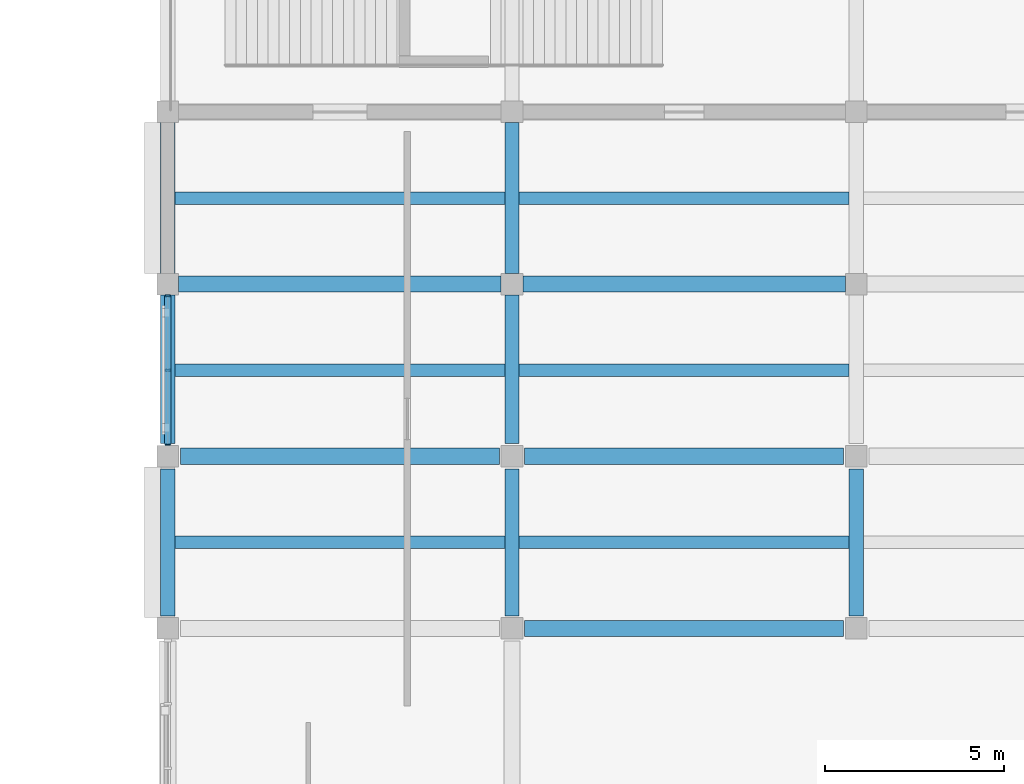
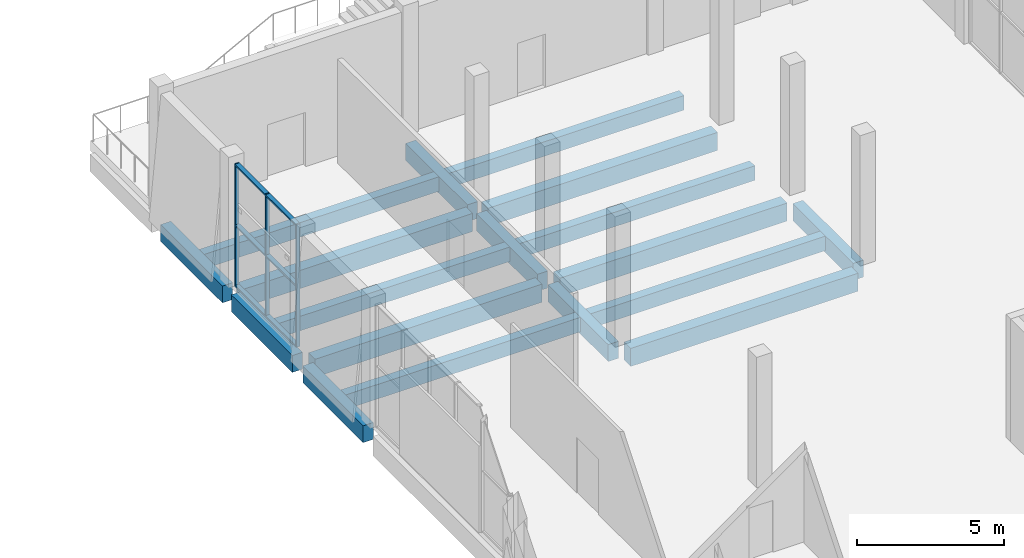
# One storey, part 17 of 83: 18 beams, 6 members, 1 element without a shape of its own.
"""IFC4 building model written with IfcOpenShell, lengths in metres."""

from ifc_helpers import new_model, si_unit, direction, frame, origin, origin_2d, place, context, subcontext, project, spatial, rectangle, extrude, material, material_profile, profile_set, type_object, element, aggregate, save


model = new_model("IFC4")

# Units and contexts
model_context = context("Model", 3, precision=1e-05, world=origin(), true_north=direction((0.0, 1.0)))
body_context = subcontext(model_context, "Body", "Model", "MODEL_VIEW")
ifc_project = project(units=[si_unit("LENGTHUNIT", "METRE"), si_unit("AREAUNIT", "SQUARE_METRE"), si_unit("VOLUMEUNIT", "CUBIC_METRE"), si_unit("PLANEANGLEUNIT", "RADIAN"), si_unit("MASSUNIT", "GRAM", prefix="KILO")], contexts=[model_context])

# Site, building, storey
site_placement = place(None, origin())
site = spatial("IfcSite", under=ifc_project, at=site_placement, CompositionType="ELEMENT")
building_placement = place(site_placement, origin())
building = spatial("IfcBuilding", under=site, at=building_placement, Name="Shalvenor Court Art Gallery", CompositionType="ELEMENT")
storey_placement = place(building_placement, frame((0.0, 0.0, 6.0)))
storey = spatial("IfcBuildingStorey", under=building, at=storey_placement, Name="L01", CompositionType="ELEMENT", Elevation=6.0)

# Beams
ifc_material_1 = material(Name="Concrete C40/50", Category="concrete")
ifc_material_profile_1 = material_profile(ifc_material_1, rectangle(XDim=0.449951171875, YDim=0.75, at=origin_2d()), Name="RC 450x750")
ifc_profile_set_1 = profile_set([ifc_material_profile_1], Name="Concrete C40/50")
beam_type_1 = type_object("IfcBeamType", Name="B-04", PredefinedType="BEAM", material=ifc_profile_set_1)
beam_1_placement = place(storey_placement, frame((105.949951171875, 19.199951171875, -0.695068359375), z_axis=(1.0, 0.0, 0.0), x_axis=(0.0, 1.0, 0.0)))
element("IfcBeam", 1, at=beam_1_placement, inside=storey, type_object=beam_type_1, Name="L01 Girder BM-L01-B-04-0513", PredefinedType="BEAM", context=body_context, shape_type="SweptSolid", body=[
    extrude(rectangle(XDim=0.449951171875, YDim=0.75, at=origin_2d()), origin(), (0.0, 0.0, 1.0), 8.900146484375),
])
beam_2_placement = place(storey_placement, frame((96.35009765625, 24.0, -0.695068359375), z_axis=(1.0, 0.0, 0.0), x_axis=(0.0, 1.0, 0.0)))
element("IfcBeam", 2, at=beam_2_placement, inside=storey, type_object=beam_type_1, Name="L01 Girder BM-L01-B-04-0515", PredefinedType="BEAM", context=body_context, shape_type="SweptSolid", body=[
    extrude(rectangle(XDim=0.449951171875, YDim=0.75, at=origin_2d()), origin(), (0.0, 0.0, 1.0), 8.89990234375),
])
beam_3_placement = place(storey_placement, frame((105.949951171875, 24.0, -0.695068359375), z_axis=(1.0, 0.0, 0.0), x_axis=(0.0, 1.0, 0.0)))
element("IfcBeam", 3, at=beam_3_placement, inside=storey, type_object=beam_type_1, Name="L01 Girder BM-L01-B-04-0516", PredefinedType="BEAM", context=body_context, shape_type="SweptSolid", body=[
    extrude(rectangle(XDim=0.449951171875, YDim=0.75, at=origin_2d()), origin(), (0.0, 0.0, 1.0), 8.900146484375),
])
for number, where, z_axis, x_axis, name in (
    (4, (96.300048828125, 28.800048828125, -0.695068359375), (1.0, 0.0, 0.0), (0.0, 1.0, 0.0), "L01 Girder BM-L01-B-04-0525"),
    (5, (105.89990234375, 28.800048828125, -0.695068359375), (1.0, 0.0, 0.0), (0.0, 1.0, 0.0), "L01 Girder BM-L01-B-04-0526"),
):
    element("IfcBeam", number, at=place(storey_placement, frame(where, z_axis=z_axis, x_axis=x_axis)), inside=storey, type_object=beam_type_1, Name=name, PredefinedType="BEAM", context=body_context, shape_type="SweptSolid", body=[
        extrude(rectangle(XDim=0.449951171875, YDim=0.75, at=origin_2d()), origin(), (0.0, 0.0, 1.0), 9.0),
    ])
ifc_material_2 = material(Name="Concrete C40/50", Category="concrete")
ifc_material_profile_2 = material_profile(ifc_material_2, rectangle(XDim=0.39990234375, YDim=0.699951171875, at=origin_2d()), Name="RC 400x700")
ifc_profile_set_2 = profile_set([ifc_material_profile_2], Name="Concrete C40/50")
beam_type_2 = type_object("IfcBeamType", Name="B-05", PredefinedType="BEAM", material=ifc_profile_set_2)
beam_4_placement = place(storey_placement, frame((96.0, 19.550048828125, -0.669921875), z_axis=(0.0, 1.0, 0.0), x_axis=(-1.0, 0.0, 0.0)))
element("IfcBeam", 6, at=beam_4_placement, inside=storey, type_object=beam_type_2, Name="L01 Girder BM-L01-B-05-0424", PredefinedType="BEAM", context=body_context, shape_type="SweptSolid", body=[
    extrude(rectangle(XDim=0.39990234375, YDim=0.699951171875, at=origin_2d()), origin(), (0.0, 0.0, 1.0), 4.099853515625),
])
beam_5_placement = place(storey_placement, frame((96.0, 24.35009765625, -0.669921875), z_axis=(0.0, 1.0, 0.0), x_axis=(-1.0, 0.0, 0.0)))
element("IfcBeam", 7, at=beam_5_placement, inside=storey, type_object=beam_type_2, Name="L01 Girder BM-L01-B-05-0425", PredefinedType="BEAM", context=body_context, shape_type="SweptSolid", body=[
    extrude(rectangle(XDim=0.39990234375, YDim=0.699951171875, at=origin_2d()), origin(), (0.0, 0.0, 1.0), 4.14990234375),
])
beam_6_placement = place(storey_placement, frame((96.0, 29.10009765625, -0.669921875), z_axis=(0.0, 1.0, 0.0), x_axis=(-1.0, 0.0, 0.0)))
element("IfcBeam", 8, at=beam_6_placement, inside=storey, type_object=beam_type_2, Name="L01 Girder BM-L01-B-05-0426", PredefinedType="BEAM", context=body_context, shape_type="SweptSolid", body=[
    extrude(rectangle(XDim=0.39990234375, YDim=0.699951171875, at=origin_2d()), origin(), (0.0, 0.0, 1.0), 4.199951171875),
])
beam_7_placement = place(storey_placement, frame((105.60009765625, 19.550048828125, -0.669921875), z_axis=(0.0, 1.0, 0.0), x_axis=(-1.0, 0.0, 0.0)))
element("IfcBeam", 9, at=beam_7_placement, inside=storey, type_object=beam_type_2, Name="L01 Girder BM-L01-B-05-0433", PredefinedType="BEAM", context=body_context, shape_type="SweptSolid", body=[
    extrude(rectangle(XDim=0.39990234375, YDim=0.699951171875, at=origin_2d()), origin(), (0.0, 0.0, 1.0), 4.099853515625),
])
beam_8_placement = place(storey_placement, frame((105.60009765625, 24.35009765625, -0.669921875), z_axis=(0.0, 1.0, 0.0), x_axis=(-1.0, 0.0, 0.0)))
element("IfcBeam", 10, at=beam_8_placement, inside=storey, type_object=beam_type_2, Name="L01 Girder BM-L01-B-05-0434", PredefinedType="BEAM", context=body_context, shape_type="SweptSolid", body=[
    extrude(rectangle(XDim=0.39990234375, YDim=0.699951171875, at=origin_2d()), origin(), (0.0, 0.0, 1.0), 4.14990234375),
])
beam_9_placement = place(storey_placement, frame((105.60009765625, 29.10009765625, -0.669921875), z_axis=(0.0, 1.0, 0.0), x_axis=(-1.0, 0.0, 0.0)))
element("IfcBeam", 11, at=beam_9_placement, inside=storey, type_object=beam_type_2, Name="L01 Girder BM-L01-B-05-0435", PredefinedType="BEAM", context=body_context, shape_type="SweptSolid", body=[
    extrude(rectangle(XDim=0.39990234375, YDim=0.699951171875, at=origin_2d()), origin(), (0.0, 0.0, 1.0), 4.199951171875),
])
beam_10_placement = place(storey_placement, frame((115.199951171875, 19.550048828125, -0.669921875), z_axis=(0.0, 1.0, 0.0), x_axis=(-1.0, 0.0, 0.0)))
element("IfcBeam", 12, at=beam_10_placement, inside=storey, type_object=beam_type_2, Name="L01 Girder BM-L01-B-05-0440", PredefinedType="BEAM", context=body_context, shape_type="SweptSolid", body=[
    extrude(rectangle(XDim=0.39990234375, YDim=0.699951171875, at=origin_2d()), origin(), (0.0, 0.0, 1.0), 4.099853515625),
])

# Curtain wall, members
ifc_material_3 = material(Name="Anodised aluminium and low-iron glass curtain wall", Category="aluminium")
curtain_wall_type = type_object("IfcCurtainWallType", Name="CW-2x2-42-51-622", PredefinedType="USERDEFINED", material=ifc_material_3)
curtain_wall_placement = place(storey_placement, origin())
curtain_wall = element("IfcCurtainWall", 13, at=curtain_wall_placement, inside=storey, type_object=curtain_wall_type, Name="L01 V3 Curtain Wall CW-L01-103", ObjectType="CURTAIN WALL", PredefinedType="USERDEFINED")
ifc_material_4 = material(Name="Anodised aluminium mullion", Category="aluminium")
ifc_material_profile_3 = material_profile(ifc_material_4, rectangle(XDim=0.054931640625, YDim=0.139892578125, at=origin_2d()), Name="CWM-06")
ifc_profile_set_3 = profile_set([ifc_material_profile_3], Name="Anodised aluminium mullion")
member_type_1 = type_object("IfcMemberType", Name="CWM-06", PredefinedType="MULLION", material=ifc_profile_set_3)
member_1_placement = place(storey_placement, frame((96.0, 24.327392578125, 0.0), z_axis=(0.0, 0.0, 1.0), x_axis=(0.0, 1.0, 0.0)))
member_1 = element("IfcMember", 14, at=member_1_placement, type_object=member_type_1, Name="CW-2x2-42-51-622 mullion 1", PredefinedType="MULLION", context=body_context, shape_type="SweptSolid", body=[
    extrude(rectangle(XDim=0.054931640625, YDim=0.139892578125, at=origin_2d()), origin(), (0.0, 0.0, 1.0), 5.080078125),
])
member_2_placement = place(storey_placement, frame((96.0, 26.39990234375, 0.0), z_axis=(0.0, 0.0, 1.0), x_axis=(0.0, 1.0, 0.0)))
member_2 = element("IfcMember", 15, at=member_2_placement, type_object=member_type_1, Name="CW-2x2-42-51-622 mullion 2", PredefinedType="MULLION", context=body_context, shape_type="SweptSolid", body=[
    extrude(rectangle(XDim=0.054931640625, YDim=0.139892578125, at=origin_2d()), origin(), (0.0, 0.0, 1.0), 5.080078125),
])
member_3_placement = place(storey_placement, frame((96.0, 28.472412109375, 0.0), z_axis=(0.0, 0.0, 1.0), x_axis=(0.0, 1.0, 0.0)))
member_3 = element("IfcMember", 16, at=member_3_placement, type_object=member_type_1, Name="CW-2x2-42-51-622 mullion 3", PredefinedType="MULLION", context=body_context, shape_type="SweptSolid", body=[
    extrude(rectangle(XDim=0.054931640625, YDim=0.139892578125, at=origin_2d()), origin(), (0.0, 0.0, 1.0), 5.080078125),
])
ifc_material_5 = material(Name="Anodised aluminium transom", Category="aluminium")
ifc_material_profile_4 = material_profile(ifc_material_5, rectangle(XDim=0.169921875, YDim=0.06494140625, at=origin_2d()), Name="CWT-02")
ifc_profile_set_4 = profile_set([ifc_material_profile_4], Name="Anodised aluminium transom")
member_type_2 = type_object("IfcMemberType", Name="CWT-02", PredefinedType="USERDEFINED", material=ifc_profile_set_4)
member_4_placement = place(storey_placement, frame((96.0, 24.327392578125, 0.032470703125), z_axis=(0.0, 1.0, 0.0), x_axis=(-1.0, 0.0, 0.0)))
member_4 = element("IfcMember", 17, at=member_4_placement, type_object=member_type_2, Name="CW-2x2-42-51-622 transom 1", ObjectType="TRANSOM", PredefinedType="USERDEFINED", context=body_context, shape_type="SweptSolid", body=[
    extrude(rectangle(XDim=0.169921875, YDim=0.06494140625, at=origin_2d()), origin(), (0.0, 0.0, 1.0), 4.14501953125),
])
member_5_placement = place(storey_placement, frame((96.0, 24.327392578125, 2.5400390625), z_axis=(0.0, 1.0, 0.0), x_axis=(-1.0, 0.0, 0.0)))
member_5 = element("IfcMember", 18, at=member_5_placement, type_object=member_type_2, Name="CW-2x2-42-51-622 transom 2", ObjectType="TRANSOM", PredefinedType="USERDEFINED", context=body_context, shape_type="SweptSolid", body=[
    extrude(rectangle(XDim=0.169921875, YDim=0.06494140625, at=origin_2d()), origin(), (0.0, 0.0, 1.0), 4.14501953125),
])
member_6_placement = place(storey_placement, frame((96.0, 24.327392578125, 5.047607421875), z_axis=(0.0, 1.0, 0.0), x_axis=(-1.0, 0.0, 0.0)))
member_6 = element("IfcMember", 19, at=member_6_placement, type_object=member_type_2, Name="CW-2x2-42-51-622 transom 3", ObjectType="TRANSOM", PredefinedType="USERDEFINED", context=body_context, shape_type="SweptSolid", body=[
    extrude(rectangle(XDim=0.169921875, YDim=0.06494140625, at=origin_2d()), origin(), (0.0, 0.0, 1.0), 4.14501953125),
])
aggregate(curtain_wall, [member_1, member_2, member_3, member_4, member_5, member_6])

# Beams
ifc_material_6 = material(Name="Concrete C40/50", Category="concrete")
ifc_material_profile_5 = material_profile(ifc_material_6, rectangle(XDim=0.35009765625, YDim=0.60009765625, at=origin_2d()), Name="RC 350x600")
ifc_profile_set_5 = profile_set([ifc_material_profile_5], Name="Concrete C40/50")
beam_type_3 = type_object("IfcBeamType", Name="J-01", PredefinedType="JOIST", material=ifc_profile_set_5)
for number, where, z_axis, x_axis, name in (
    (20, (96.199951171875, 21.60009765625, -0.6201171875), (1.0, 0.0, 0.0), (0.0, 1.0, 0.0), "L01 Secondary Beam JST-L01-J-01-0658"),
    (21, (96.199951171875, 26.39990234375, -0.6201171875), (1.0, 0.0, 0.0), (0.0, 1.0, 0.0), "L01 Secondary Beam JST-L01-J-01-0659"),
    (22, (96.199951171875, 31.199951171875, -0.6201171875), (1.0, 0.0, 0.0), (0.0, 1.0, 0.0), "L01 Secondary Beam JST-L01-J-01-0660"),
    (23, (105.800048828125, 21.60009765625, -0.6201171875), (1.0, 0.0, 0.0), (0.0, 1.0, 0.0), "L01 Secondary Beam JST-L01-J-01-0664"),
    (24, (105.800048828125, 26.39990234375, -0.6201171875), (1.0, 0.0, 0.0), (0.0, 1.0, 0.0), "L01 Secondary Beam JST-L01-J-01-0665"),
    (25, (105.800048828125, 31.199951171875, -0.6201171875), (1.0, 0.0, 0.0), (0.0, 1.0, 0.0), "L01 Secondary Beam JST-L01-J-01-0666"),
):
    element("IfcBeam", number, at=place(storey_placement, frame(where, z_axis=z_axis, x_axis=x_axis)), inside=storey, type_object=beam_type_3, Name=name, PredefinedType="JOIST", context=body_context, shape_type="SweptSolid", body=[
        extrude(rectangle(XDim=0.35009765625, YDim=0.60009765625, at=origin_2d()), origin(), (0.0, 0.0, 1.0), 9.199951171875),
    ])

save(model, "model.ifc")
